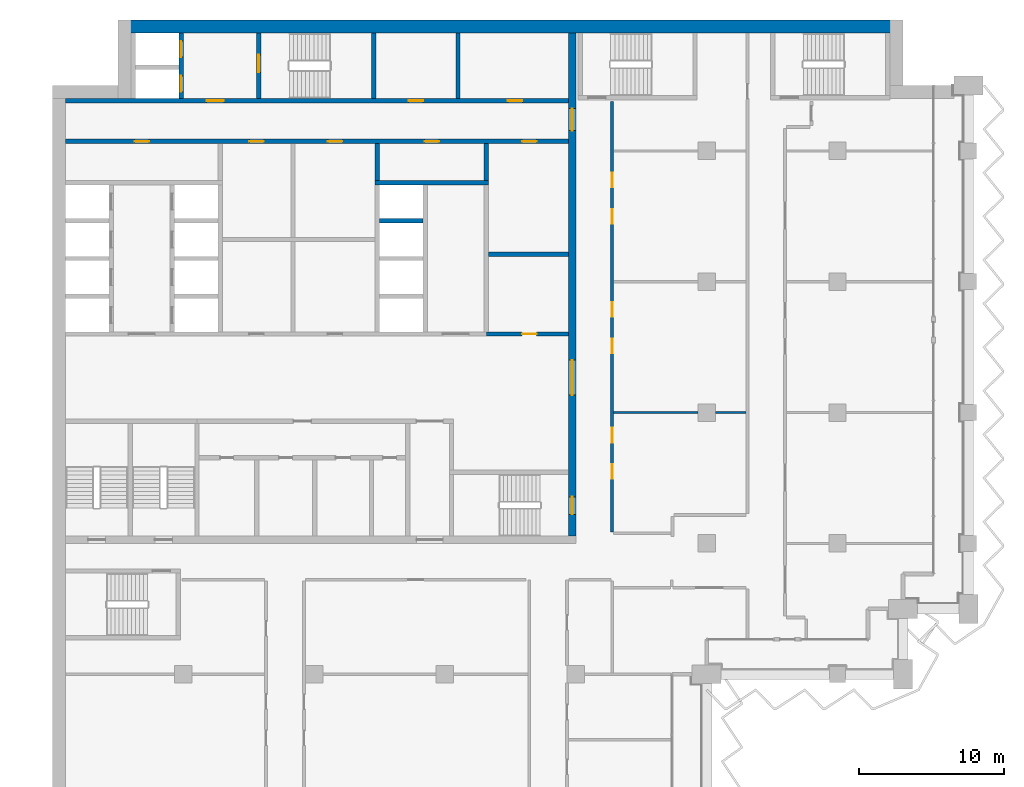
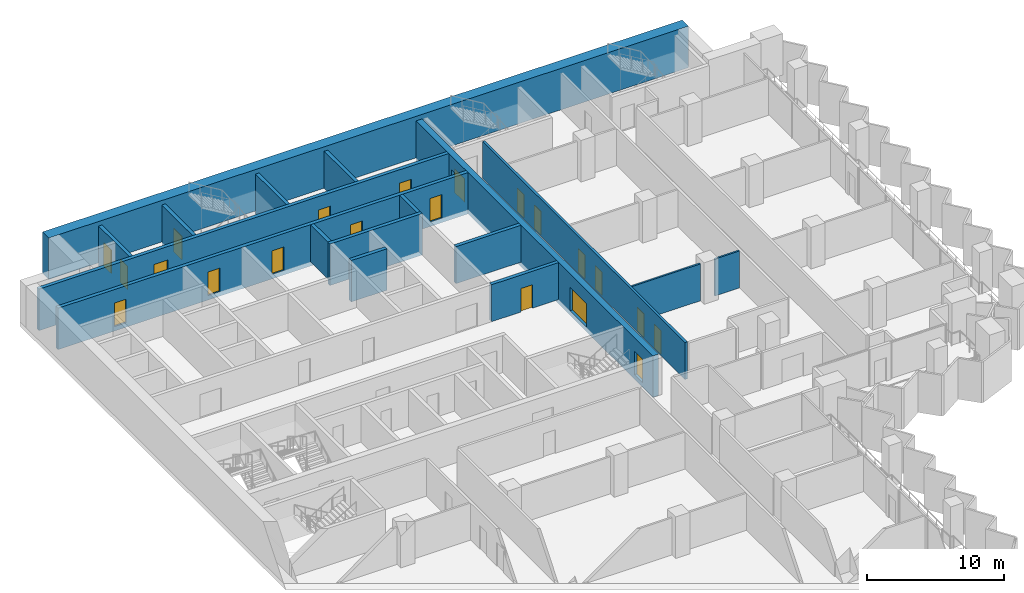
# One storey, part 13 of 22: 21 doors, 17 walls, 21 openings.
"""IFC4 building model written with IfcOpenShell, lengths in metres."""

from ifc_helpers import new_model, si_unit, direction, frame, frame_2d, origin, place, context, subcontext, project, spatial, rectangle, extrude, material, layer, layer_set, type_object, element, fill, save


model = new_model("IFC4")

# Units and contexts
model_context = context("Model", 3, precision=1e-05, world=origin(), true_north=direction((0.0, 1.0)))
body_context = subcontext(model_context, "Body", "Model", "MODEL_VIEW")
ifc_project = project(units=[si_unit("LENGTHUNIT", "METRE"), si_unit("AREAUNIT", "SQUARE_METRE"), si_unit("VOLUMEUNIT", "CUBIC_METRE"), si_unit("PLANEANGLEUNIT", "RADIAN"), si_unit("MASSUNIT", "GRAM", prefix="KILO")], contexts=[model_context])

# Site, building, storey
site_placement = place(None, origin())
site = spatial("IfcSite", under=ifc_project, at=site_placement, CompositionType="ELEMENT")
building_placement = place(site_placement, origin())
building = spatial("IfcBuilding", under=site, at=building_placement, Name="Hunhe Ridgeline Campus", CompositionType="ELEMENT")
storey_placement = place(building_placement, frame((0.0, 0.0, 137.5)))
storey = spatial("IfcBuildingStorey", under=building, at=storey_placement, Name="L34", CompositionType="ELEMENT", Elevation=137.5)

# Wall, opening, door
ifc_material_1 = material(Name="Masonry concrete blockwork", Category="masonry")
ifc_layer_1 = layer(ifc_material_1, 0.300048828125)
ifc_layer_set_1 = layer_set([ifc_layer_1], Name="Core room partition 300 concrete block")
wall_type_1 = type_object("IfcWallType", Name="Core room partition 300 concrete block", PredefinedType="PARTITIONING", material=ifc_layer_set_1)
wall_1_placement = place(storey_placement, frame((29.85009765625, 77.39990234375, 0.0), z_axis=(0.0, 0.0, 1.0), x_axis=(1.0, 0.0, 0.0)))
wall_1 = element("IfcWall", 1, at=wall_1_placement, inside=storey, type_object=wall_type_1, Name="L34 core partition 13", PredefinedType="PARTITIONING", context=body_context, shape_type="SweptSolid", body=[
    extrude(rectangle(XDim=5.64990234375, YDim=0.300048828125, at=frame_2d((2.824951171875, 0.0))), origin(), (0.0, 0.0, 1.0), 3.300048828125),
])
opening_1_placement = place(wall_1_placement, frame((2.449951171875, 0.0, 0.0)))
opening_1 = element("IfcOpeningElement", 2, at=opening_1_placement, cuts=wall_1, Name="Opening CD32", PredefinedType="OPENING", context=body_context, shape_type="SweptSolid", body=[
    extrude(rectangle(XDim=1.0, YDim=2.10009765625, at=frame_2d((0.5, 1.050048828125))), frame((0.0, 0.14990234375, 0.0), z_axis=(0.0, -1.0, 0.0), x_axis=(1.0, 0.0, 0.0)), (0.0, 0.0, 1.0), 0.300048828125),
])
ifc_material_2 = material(Name="Solid core timber door leaf", Category="wood")
door_type_1 = type_object("IfcDoorType", Name="Timber door 1000x2100", OperationType="SINGLE_SWING_LEFT", PredefinedType="DOOR", material=ifc_material_2)
door_1_placement = place(opening_1_placement, origin())
door_1 = element("IfcDoor", 3, at=door_1_placement, inside=storey, type_object=door_type_1, Name="L34 door ES0", OperationType="SINGLE_SWING_LEFT", OverallHeight=2.10009765625, OverallWidth=1.0, PredefinedType="DOOR", context=body_context, shape_type="SweptSolid", body=[
    extrude(rectangle(XDim=1.0, YDim=2.10009765625, at=frame_2d((0.5, 1.050048828125))), frame((0.0, 0.02490234375, 0.0), z_axis=(0.0, -1.0, 0.0), x_axis=(1.0, 0.0, 0.0)), (0.0, 0.0, 1.0), 0.050048828125),
])
fill(opening_1, door_1)

# Walls
wall_2_placement = place(storey_placement, frame((30.0, 82.89990234375, 0.0), z_axis=(0.0, 0.0, 1.0), x_axis=(1.0, 0.0, 0.0)))
element("IfcWall", 4, at=wall_2_placement, inside=storey, type_object=wall_type_1, Name="L34 core partition 20", PredefinedType="PARTITIONING", context=body_context, shape_type="SweptSolid", body=[
    extrude(rectangle(XDim=5.5, YDim=0.300048828125, at=frame_2d((2.75, 0.0))), origin(), (0.0, 0.0, 1.0), 3.300048828125),
])
wall_3_placement = place(storey_placement, frame((22.35009765625, 87.949951171875, 0.0), z_axis=(0.0, 0.0, 1.0), x_axis=(0.0, 1.0, 0.0)))
element("IfcWall", 5, at=wall_3_placement, inside=storey, type_object=wall_type_1, Name="L34 core partition 50", PredefinedType="PARTITIONING", context=body_context, shape_type="SweptSolid", body=[
    extrude(rectangle(XDim=2.550048828125, YDim=0.300048828125, at=frame_2d((1.27490234375, 0.0))), origin(), (0.0, 0.0, 1.0), 3.300048828125),
])
wall_4_placement = place(storey_placement, frame((27.89990234375, 93.60009765625, 0.0), z_axis=(0.0, 0.0, 1.0), x_axis=(0.0, 1.0, 0.0)))
element("IfcWall", 6, at=wall_4_placement, inside=storey, type_object=wall_type_1, Name="L34 core partition 56", PredefinedType="PARTITIONING", context=body_context, shape_type="SweptSolid", body=[
    extrude(rectangle(XDim=4.5, YDim=0.300048828125, at=frame_2d((2.25, 0.0))), origin(), (0.0, 0.0, 1.0), 3.300048828125),
])
wall_5_placement = place(storey_placement, frame((29.85009765625, 87.949951171875, 0.0), z_axis=(0.0, 0.0, 1.0), x_axis=(0.0, 1.0, 0.0)))
element("IfcWall", 7, at=wall_5_placement, inside=storey, type_object=wall_type_1, Name="L34 core partition 58", PredefinedType="PARTITIONING", context=body_context, shape_type="SweptSolid", body=[
    extrude(rectangle(XDim=2.550048828125, YDim=0.300048828125, at=frame_2d((1.27490234375, 0.0))), origin(), (0.0, 0.0, 1.0), 3.300048828125),
])

# Wall, openings, doors
ifc_material_3 = material(Name="Concrete C70", Category="concrete")
ifc_layer_2 = layer(ifc_material_3, 0.5)
ifc_layer_set_2 = layer_set([ifc_layer_2], Name="Core wall 500 reinforced concrete C70")
wall_type_2 = type_object("IfcWallType", Name="Core wall 500 reinforced concrete C70", PredefinedType="SOLIDWALL", material=ifc_layer_set_2)
wall_6_placement = place(storey_placement, frame((35.75, 63.5, -0.39990234375), z_axis=(0.0, 0.0, 1.0), x_axis=(0.0, 1.0, 0.0)))
wall_6 = element("IfcWall", 8, at=wall_6_placement, inside=storey, type_object=wall_type_2, Name="L34 core wall 59", PredefinedType="SOLIDWALL", context=body_context, shape_type="SweptSolid", body=[
    extrude(rectangle(XDim=34.60009765625, YDim=0.5, at=frame_2d((17.300048828125, 0.0))), origin(), (0.0, 0.0, 1.0), 3.699951171875),
])
opening_2_placement = place(wall_6_placement, frame((9.699951171875, 0.0, 0.39990234375)))
opening_2 = element("IfcOpeningElement", 9, at=opening_2_placement, cuts=wall_6, Name="Opening CD4", PredefinedType="OPENING", context=body_context, shape_type="SweptSolid", body=[
    extrude(rectangle(XDim=2.39990234375, YDim=2.10009765625, at=frame_2d((1.199951171875, 1.050048828125))), frame((0.0, 0.25, 0.0), z_axis=(0.0, -1.0, 0.0), x_axis=(1.0, 0.0, 0.0)), (0.0, 0.0, 1.0), 0.5),
])
opening_3_placement = place(wall_6_placement, frame((27.89990234375, 0.0, 0.39990234375)))
opening_3 = element("IfcOpeningElement", 10, at=opening_3_placement, cuts=wall_6, Name="Opening CD5", PredefinedType="OPENING", context=body_context, shape_type="SweptSolid", body=[
    extrude(rectangle(XDim=1.5, YDim=2.10009765625, at=frame_2d((0.75, 1.050048828125))), frame((0.0, 0.25, 0.0), z_axis=(0.0, -1.0, 0.0), x_axis=(1.0, 0.0, 0.0)), (0.0, 0.0, 1.0), 0.5),
])
opening_4_placement = place(wall_6_placement, frame((1.5, 0.0, 0.39990234375)))
opening_4 = element("IfcOpeningElement", 11, at=opening_4_placement, cuts=wall_6, Name="Opening CD15", PredefinedType="OPENING", context=body_context, shape_type="SweptSolid", body=[
    extrude(rectangle(XDim=1.199951171875, YDim=2.10009765625, at=frame_2d((0.60009765625, 1.050048828125))), frame((0.0, 0.25, 0.0), z_axis=(0.0, -1.0, 0.0), x_axis=(1.0, 0.0, 0.0)), (0.0, 0.0, 1.0), 0.5),
])
ifc_material_4 = material(Name="Anodised aluminium and glass", Category="aluminium")
door_type_2 = type_object("IfcDoorType", Name="Glazed double door 2400x2100", OperationType="DOUBLE_DOOR_SINGLE_SWING", PredefinedType="DOOR", material=ifc_material_4)
door_2_placement = place(opening_2_placement, frame((2.39990234375, 0.0, 0.0), z_axis=(0.0, 0.0, 1.0), x_axis=(-1.0, 0.0, 0.0)))
door_2 = element("IfcDoor", 12, at=door_2_placement, inside=storey, type_object=door_type_2, Name="L34 door HALL-FLOOR", OperationType="DOUBLE_DOOR_SINGLE_SWING", OverallHeight=2.10009765625, OverallWidth=2.39990234375, PredefinedType="DOOR", context=body_context, shape_type="SweptSolid", body=[
    extrude(rectangle(XDim=2.39990234375, YDim=2.10009765625, at=frame_2d((1.199951171875, 1.050048828125))), frame((0.0, 0.02490234375, 0.0), z_axis=(0.0, -1.0, 0.0), x_axis=(1.0, 0.0, 0.0)), (0.0, 0.0, 1.0), 0.050048828125),
])
fill(opening_2, door_2)
ifc_material_5 = material(Name="Hollow metal fire door leaf")
door_type_3 = type_object("IfcDoorType", Name="Stair door 1200x2100 FD60", OperationType="SINGLE_SWING_LEFT", PredefinedType="DOOR", material=ifc_material_5)
door_3_placement = place(opening_4_placement, frame((1.199951171875, 0.0, 0.0), z_axis=(0.0, 0.0, 1.0), x_axis=(-1.0, 0.0, 0.0)))
door_3 = element("IfcDoor", 13, at=door_3_placement, inside=storey, type_object=door_type_3, Name="L34 door S2-FLOOR", OperationType="SINGLE_SWING_RIGHT", OverallHeight=2.10009765625, OverallWidth=1.199951171875, PredefinedType="DOOR", context=body_context, shape_type="SweptSolid", body=[
    extrude(rectangle(XDim=1.199951171875, YDim=2.10009765625, at=frame_2d((0.60009765625, 1.050048828125))), frame((0.0, 0.02490234375, 0.0), z_axis=(0.0, -1.0, 0.0), x_axis=(1.0, 0.0, 0.0)), (0.0, 0.0, 1.0), 0.050048828125),
])
fill(opening_4, door_3)
door_type_4 = type_object("IfcDoorType", Name="Timber door 1500x2100", OperationType="SINGLE_SWING_LEFT", PredefinedType="DOOR", material=ifc_material_2)
door_4_placement = place(opening_3_placement, frame((1.5, 0.0, 0.0), z_axis=(0.0, 0.0, 1.0), x_axis=(-1.0, 0.0, 0.0)))
door_4 = element("IfcDoor", 14, at=door_4_placement, inside=storey, type_object=door_type_4, Name="L34 door C1-FLOOR", OperationType="SINGLE_SWING_RIGHT", OverallHeight=2.10009765625, OverallWidth=1.5, PredefinedType="DOOR", context=body_context, shape_type="SweptSolid", body=[
    extrude(rectangle(XDim=1.5, YDim=2.10009765625, at=frame_2d((0.75, 1.050048828125))), frame((0.0, 0.02490234375, 0.0), z_axis=(0.0, -1.0, 0.0), x_axis=(1.0, 0.0, 0.0)), (0.0, 0.0, 1.0), 0.050048828125),
])
fill(opening_3, door_4)

ifc_material_6 = material(Name="Gypsum board partition")
ifc_layer_3 = layer(ifc_material_6, 0.199951171875)
ifc_layer_set_3 = layer_set([ifc_layer_3], Name="Corridor partition 200 gypsum board on steel studs")
wall_type_3 = type_object("IfcWallType", Name="Corridor partition 200 gypsum board on steel studs", PredefinedType="PARTITIONING", material=ifc_layer_set_3)
wall_7_placement = place(storey_placement, frame((38.5, 93.39599609375, 0.0), z_axis=(0.0, 0.0, 1.0), x_axis=(0.0, -1.0, 0.0)))
wall_7 = element("IfcWall", 15, at=wall_7_placement, inside=storey, type_object=wall_type_3, Name="F-L34-wall-076", PredefinedType="PARTITIONING", context=body_context, shape_type="SweptSolid", body=[
    extrude(rectangle(XDim=29.595947265625, YDim=0.199951171875, at=frame_2d((14.7978515625, 0.0))), origin(), (0.0, 0.0, 1.0), 3.300048828125),
])
opening_5_placement = place(wall_7_placement, frame((24.95751953125, 0.0, 0.0)))
opening_5 = element("IfcOpeningElement", 16, at=opening_5_placement, cuts=wall_7, Name="Opening RD1-033", PredefinedType="OPENING", context=body_context, shape_type="SweptSolid", body=[
    extrude(rectangle(XDim=1.0, YDim=2.10009765625, at=frame_2d((0.5, 1.050048828125))), frame((0.0, 0.10009765625, 0.0), z_axis=(0.0, -1.0, 0.0), x_axis=(1.0, 0.0, 0.0)), (0.0, 0.0, 1.0), 0.199951171875),
])
opening_6_placement = place(wall_7_placement, frame((22.45751953125, 0.0, 0.0)))
opening_6 = element("IfcOpeningElement", 17, at=opening_6_placement, cuts=wall_7, Name="Opening RD1-034", PredefinedType="OPENING", context=body_context, shape_type="SweptSolid", body=[
    extrude(rectangle(XDim=1.0, YDim=2.10009765625, at=frame_2d((0.5, 1.050048828125))), frame((0.0, 0.10009765625, 0.0), z_axis=(0.0, -1.0, 0.0), x_axis=(1.0, 0.0, 0.0)), (0.0, 0.0, 1.0), 0.199951171875),
])
opening_7_placement = place(wall_7_placement, frame((16.304443359375, 0.0, 0.0)))
opening_7 = element("IfcOpeningElement", 18, at=opening_7_placement, cuts=wall_7, Name="Opening RD1-036", PredefinedType="OPENING", context=body_context, shape_type="SweptSolid", body=[
    extrude(rectangle(XDim=1.0, YDim=2.10009765625, at=frame_2d((0.5, 1.050048828125))), frame((0.0, 0.10009765625, 0.0), z_axis=(0.0, -1.0, 0.0), x_axis=(1.0, 0.0, 0.0)), (0.0, 0.0, 1.0), 0.199951171875),
])
opening_8_placement = place(wall_7_placement, frame((13.804443359375, 0.0, 0.0)))
opening_8 = element("IfcOpeningElement", 19, at=opening_8_placement, cuts=wall_7, Name="Opening RD1-038", PredefinedType="OPENING", context=body_context, shape_type="SweptSolid", body=[
    extrude(rectangle(XDim=1.0, YDim=2.10009765625, at=frame_2d((0.5, 1.050048828125))), frame((0.0, 0.10009765625, 0.0), z_axis=(0.0, -1.0, 0.0), x_axis=(1.0, 0.0, 0.0)), (0.0, 0.0, 1.0), 0.199951171875),
])
opening_9_placement = place(wall_7_placement, frame((7.400634765625, 0.0, 0.0)))
opening_9 = element("IfcOpeningElement", 20, at=opening_9_placement, cuts=wall_7, Name="Opening RD1-039", PredefinedType="OPENING", context=body_context, shape_type="SweptSolid", body=[
    extrude(rectangle(XDim=1.0, YDim=2.10009765625, at=frame_2d((0.5, 1.050048828125))), frame((0.0, 0.10009765625, 0.0), z_axis=(0.0, -1.0, 0.0), x_axis=(1.0, 0.0, 0.0)), (0.0, 0.0, 1.0), 0.199951171875),
])
opening_10_placement = place(wall_7_placement, frame((4.900634765625, 0.0, 0.0)))
opening_10 = element("IfcOpeningElement", 21, at=opening_10_placement, cuts=wall_7, Name="Opening RD1-041", PredefinedType="OPENING", context=body_context, shape_type="SweptSolid", body=[
    extrude(rectangle(XDim=1.0, YDim=2.10009765625, at=frame_2d((0.5, 1.050048828125))), frame((0.0, 0.10009765625, 0.0), z_axis=(0.0, -1.0, 0.0), x_axis=(1.0, 0.0, 0.0)), (0.0, 0.0, 1.0), 0.199951171875),
])
ifc_material_7 = material(Name="Timber door leaf", Category="wood")
door_type_5 = type_object("IfcDoorType", Name="Single fire door 1000x2100 timber FD60", OperationType="NOTDEFINED", PredefinedType="DOOR", material=ifc_material_7)
door_5_placement = place(opening_5_placement, frame((1.0, 0.0, 0.0), z_axis=(0.0, 0.0, 1.0), x_axis=(-1.0, 0.0, 0.0)))
door_5 = element("IfcDoor", 22, at=door_5_placement, inside=storey, type_object=door_type_5, Name="F-L34-door-033", OperationType="SINGLE_SWING_LEFT", OverallHeight=2.10009765625, OverallWidth=1.0, PredefinedType="DOOR", context=body_context, shape_type="SweptSolid", body=[
    extrude(rectangle(XDim=1.0, YDim=2.10009765625, at=frame_2d((0.5, 1.050048828125))), frame((0.0, 0.02490234375, 0.0), z_axis=(0.0, -1.0, 0.0), x_axis=(1.0, 0.0, 0.0)), (0.0, 0.0, 1.0), 0.050048828125),
])
fill(opening_5, door_5)
door_6_placement = place(opening_6_placement, frame((1.0, 0.0, 0.0), z_axis=(0.0, 0.0, 1.0), x_axis=(-1.0, 0.0, 0.0)))
door_6 = element("IfcDoor", 23, at=door_6_placement, inside=storey, type_object=door_type_5, Name="F-L34-door-034", OperationType="SINGLE_SWING_RIGHT", OverallHeight=2.10009765625, OverallWidth=1.0, PredefinedType="DOOR", context=body_context, shape_type="SweptSolid", body=[
    extrude(rectangle(XDim=1.0, YDim=2.10009765625, at=frame_2d((0.5, 1.050048828125))), frame((0.0, 0.02490234375, 0.0), z_axis=(0.0, -1.0, 0.0), x_axis=(1.0, 0.0, 0.0)), (0.0, 0.0, 1.0), 0.050048828125),
])
fill(opening_6, door_6)
door_7_placement = place(opening_7_placement, frame((1.0, 0.0, 0.0), z_axis=(0.0, 0.0, 1.0), x_axis=(-1.0, 0.0, 0.0)))
door_7 = element("IfcDoor", 24, at=door_7_placement, inside=storey, type_object=door_type_5, Name="F-L34-door-036", OperationType="SINGLE_SWING_RIGHT", OverallHeight=2.10009765625, OverallWidth=1.0, PredefinedType="DOOR", context=body_context, shape_type="SweptSolid", body=[
    extrude(rectangle(XDim=1.0, YDim=2.10009765625, at=frame_2d((0.5, 1.050048828125))), frame((0.0, 0.02490234375, 0.0), z_axis=(0.0, -1.0, 0.0), x_axis=(1.0, 0.0, 0.0)), (0.0, 0.0, 1.0), 0.050048828125),
])
fill(opening_7, door_7)
door_8_placement = place(opening_8_placement, frame((1.0, 0.0, 0.0), z_axis=(0.0, 0.0, 1.0), x_axis=(-1.0, 0.0, 0.0)))
door_8 = element("IfcDoor", 25, at=door_8_placement, inside=storey, type_object=door_type_5, Name="F-L34-door-038", OperationType="SINGLE_SWING_RIGHT", OverallHeight=2.10009765625, OverallWidth=1.0, PredefinedType="DOOR", context=body_context, shape_type="SweptSolid", body=[
    extrude(rectangle(XDim=1.0, YDim=2.10009765625, at=frame_2d((0.5, 1.050048828125))), frame((0.0, 0.02490234375, 0.0), z_axis=(0.0, -1.0, 0.0), x_axis=(1.0, 0.0, 0.0)), (0.0, 0.0, 1.0), 0.050048828125),
])
fill(opening_8, door_8)
door_9_placement = place(opening_9_placement, frame((1.0, 0.0, 0.0), z_axis=(0.0, 0.0, 1.0), x_axis=(-1.0, 0.0, 0.0)))
door_9 = element("IfcDoor", 26, at=door_9_placement, inside=storey, type_object=door_type_5, Name="F-L34-door-039", OperationType="SINGLE_SWING_RIGHT", OverallHeight=2.10009765625, OverallWidth=1.0, PredefinedType="DOOR", context=body_context, shape_type="SweptSolid", body=[
    extrude(rectangle(XDim=1.0, YDim=2.10009765625, at=frame_2d((0.5, 1.050048828125))), frame((0.0, 0.02490234375, 0.0), z_axis=(0.0, -1.0, 0.0), x_axis=(1.0, 0.0, 0.0)), (0.0, 0.0, 1.0), 0.050048828125),
])
fill(opening_9, door_9)
door_10_placement = place(opening_10_placement, frame((1.0, 0.0, 0.0), z_axis=(0.0, 0.0, 1.0), x_axis=(-1.0, 0.0, 0.0)))
door_10 = element("IfcDoor", 27, at=door_10_placement, inside=storey, type_object=door_type_5, Name="F-L34-door-041", OperationType="SINGLE_SWING_RIGHT", OverallHeight=2.10009765625, OverallWidth=1.0, PredefinedType="DOOR", context=body_context, shape_type="SweptSolid", body=[
    extrude(rectangle(XDim=1.0, YDim=2.10009765625, at=frame_2d((0.5, 1.050048828125))), frame((0.0, 0.02490234375, 0.0), z_axis=(0.0, -1.0, 0.0), x_axis=(1.0, 0.0, 0.0)), (0.0, 0.0, 1.0), 0.050048828125),
])
fill(opening_10, door_10)

ifc_layer_4 = layer(ifc_material_3, 0.300048828125)
ifc_layer_set_4 = layer_set([ifc_layer_4], Name="Lobby wall 300 reinforced concrete C70")
wall_type_4 = type_object("IfcWallType", Name="Lobby wall 300 reinforced concrete C70", PredefinedType="SOLIDWALL", material=ifc_layer_set_4)
wall_8_placement = place(storey_placement, frame((0.89990234375, 90.64990234375, -0.39990234375), z_axis=(0.0, 0.0, 1.0), x_axis=(1.0, 0.0, 0.0)))
wall_8 = element("IfcWall", 28, at=wall_8_placement, inside=storey, type_object=wall_type_4, Name="L34 core wall 27", PredefinedType="SOLIDWALL", context=body_context, shape_type="SweptSolid", body=[
    extrude(rectangle(XDim=34.60009765625, YDim=0.300048828125, at=frame_2d((17.300048828125, 0.0))), origin(), (0.0, 0.0, 1.0), 3.699951171875),
])
opening_11_placement = place(wall_8_placement, frame((4.75, 0.0, 0.39990234375)))
opening_11 = element("IfcOpeningElement", 29, at=opening_11_placement, cuts=wall_8, Name="Opening CD26", PredefinedType="OPENING", context=body_context, shape_type="SweptSolid", body=[
    extrude(rectangle(XDim=1.0, YDim=2.10009765625, at=frame_2d((0.5, 1.050048828125))), frame((0.0, 0.14990234375, 0.0), z_axis=(0.0, -1.0, 0.0), x_axis=(1.0, 0.0, 0.0)), (0.0, 0.0, 1.0), 0.300048828125),
])
opening_12_placement = place(wall_8_placement, frame((24.699951171875, 0.0, 0.39990234375)))
opening_12 = element("IfcOpeningElement", 30, at=opening_12_placement, cuts=wall_8, Name="Opening CD27", PredefinedType="OPENING", context=body_context, shape_type="SweptSolid", body=[
    extrude(rectangle(XDim=1.0, YDim=2.10009765625, at=frame_2d((0.5, 1.050048828125))), frame((0.0, 0.14990234375, 0.0), z_axis=(0.0, -1.0, 0.0), x_axis=(1.0, 0.0, 0.0)), (0.0, 0.0, 1.0), 0.300048828125),
])
opening_13_placement = place(wall_8_placement, frame((12.64990234375, 0.0, 0.39990234375)))
opening_13 = element("IfcOpeningElement", 31, at=opening_13_placement, cuts=wall_8, Name="Opening CD29", PredefinedType="OPENING", context=body_context, shape_type="SweptSolid", body=[
    extrude(rectangle(XDim=1.0, YDim=2.10009765625, at=frame_2d((0.5, 1.050048828125))), frame((0.0, 0.14990234375, 0.0), z_axis=(0.0, -1.0, 0.0), x_axis=(1.0, 0.0, 0.0)), (0.0, 0.0, 1.0), 0.300048828125),
])
opening_14_placement = place(wall_8_placement, frame((18.050048828125, 0.0, 0.39990234375)))
opening_14 = element("IfcOpeningElement", 32, at=opening_14_placement, cuts=wall_8, Name="Opening CD31", PredefinedType="OPENING", context=body_context, shape_type="SweptSolid", body=[
    extrude(rectangle(XDim=1.0, YDim=2.10009765625, at=frame_2d((0.5, 1.050048828125))), frame((0.0, 0.14990234375, 0.0), z_axis=(0.0, -1.0, 0.0), x_axis=(1.0, 0.0, 0.0)), (0.0, 0.0, 1.0), 0.300048828125),
])
opening_15_placement = place(wall_8_placement, frame((31.39990234375, 0.0, 0.39990234375)))
opening_15 = element("IfcOpeningElement", 33, at=opening_15_placement, cuts=wall_8, Name="Opening CD33", PredefinedType="OPENING", context=body_context, shape_type="SweptSolid", body=[
    extrude(rectangle(XDim=1.0, YDim=2.10009765625, at=frame_2d((0.5, 1.050048828125))), frame((0.0, 0.14990234375, 0.0), z_axis=(0.0, -1.0, 0.0), x_axis=(1.0, 0.0, 0.0)), (0.0, 0.0, 1.0), 0.300048828125),
])
door_11_placement = place(opening_11_placement, frame((1.0, 0.0, 0.0), z_axis=(0.0, 0.0, 1.0), x_axis=(-1.0, 0.0, 0.0)))
door_11 = element("IfcDoor", 34, at=door_11_placement, inside=storey, type_object=door_type_1, Name="L34 door NR-0", OperationType="SINGLE_SWING_LEFT", OverallHeight=2.10009765625, OverallWidth=1.0, PredefinedType="DOOR", context=body_context, shape_type="SweptSolid", body=[
    extrude(rectangle(XDim=1.0, YDim=2.10009765625, at=frame_2d((0.5, 1.050048828125))), frame((0.0, 0.02490234375, 0.0), z_axis=(0.0, -1.0, 0.0), x_axis=(1.0, 0.0, 0.0)), (0.0, 0.0, 1.0), 0.050048828125),
])
fill(opening_11, door_11)
door_12_placement = place(opening_12_placement, frame((1.0, 0.0, 0.0), z_axis=(0.0, 0.0, 1.0), x_axis=(-1.0, 0.0, 0.0)))
door_12 = element("IfcDoor", 35, at=door_12_placement, inside=storey, type_object=door_type_1, Name="L34 door NR-1", OperationType="SINGLE_SWING_RIGHT", OverallHeight=2.10009765625, OverallWidth=1.0, PredefinedType="DOOR", context=body_context, shape_type="SweptSolid", body=[
    extrude(rectangle(XDim=1.0, YDim=2.10009765625, at=frame_2d((0.5, 1.050048828125))), frame((0.0, 0.02490234375, 0.0), z_axis=(0.0, -1.0, 0.0), x_axis=(1.0, 0.0, 0.0)), (0.0, 0.0, 1.0), 0.050048828125),
])
fill(opening_12, door_12)
door_13_placement = place(opening_13_placement, frame((1.0, 0.0, 0.0), z_axis=(0.0, 0.0, 1.0), x_axis=(-1.0, 0.0, 0.0)))
door_13 = element("IfcDoor", 36, at=door_13_placement, inside=storey, type_object=door_type_1, Name="L34 door VD-HR1", OperationType="SINGLE_SWING_RIGHT", OverallHeight=2.10009765625, OverallWidth=1.0, PredefinedType="DOOR", context=body_context, shape_type="SweptSolid", body=[
    extrude(rectangle(XDim=1.0, YDim=2.10009765625, at=frame_2d((0.5, 1.050048828125))), frame((0.0, 0.02490234375, 0.0), z_axis=(0.0, -1.0, 0.0), x_axis=(1.0, 0.0, 0.0)), (0.0, 0.0, 1.0), 0.050048828125),
])
fill(opening_13, door_13)
door_14_placement = place(opening_14_placement, frame((1.0, 0.0, 0.0), z_axis=(0.0, 0.0, 1.0), x_axis=(-1.0, 0.0, 0.0)))
door_14 = element("IfcDoor", 37, at=door_14_placement, inside=storey, type_object=door_type_1, Name="L34 door VD-HR3", OperationType="SINGLE_SWING_RIGHT", OverallHeight=2.10009765625, OverallWidth=1.0, PredefinedType="DOOR", context=body_context, shape_type="SweptSolid", body=[
    extrude(rectangle(XDim=1.0, YDim=2.10009765625, at=frame_2d((0.5, 1.050048828125))), frame((0.0, 0.02490234375, 0.0), z_axis=(0.0, -1.0, 0.0), x_axis=(1.0, 0.0, 0.0)), (0.0, 0.0, 1.0), 0.050048828125),
])
fill(opening_14, door_14)
door_15_placement = place(opening_15_placement, frame((1.0, 0.0, 0.0), z_axis=(0.0, 0.0, 1.0), x_axis=(-1.0, 0.0, 0.0)))
door_15 = element("IfcDoor", 38, at=door_15_placement, inside=storey, type_object=door_type_1, Name="L34 door ES1", OperationType="SINGLE_SWING_LEFT", OverallHeight=2.10009765625, OverallWidth=1.0, PredefinedType="DOOR", context=body_context, shape_type="SweptSolid", body=[
    extrude(rectangle(XDim=1.0, YDim=2.10009765625, at=frame_2d((0.5, 1.050048828125))), frame((0.0, 0.02490234375, 0.0), z_axis=(0.0, -1.0, 0.0), x_axis=(1.0, 0.0, 0.0)), (0.0, 0.0, 1.0), 0.050048828125),
])
fill(opening_15, door_15)

# Walls
ifc_layer_5 = layer(ifc_material_6, 0.14990234375)
ifc_layer_set_5 = layer_set([ifc_layer_5], Name="Room partition 150 gypsum board on steel studs")
wall_type_5 = type_object("IfcWallType", Name="Room partition 150 gypsum board on steel studs", PredefinedType="PARTITIONING", material=ifc_layer_set_5)
wall_9_placement = place(storey_placement, frame((38.60009765625, 72.0, 0.0), z_axis=(0.0, 0.0, 1.0), x_axis=(1.0, 0.0, 0.0)))
element("IfcWall", 39, at=wall_9_placement, inside=storey, type_object=wall_type_5, Name="F-L34-wall-046", PredefinedType="PARTITIONING", context=body_context, shape_type="SweptSolid", body=[
    extrude(rectangle(XDim=5.7998046875, YDim=0.14990234375, at=frame_2d((2.89990234375, 0.0))), origin(), (0.0, 0.0, 1.0), 3.300048828125),
])
wall_10_placement = place(storey_placement, frame((45.60009765625, 72.0, 0.0), z_axis=(0.0, 0.0, 1.0), x_axis=(1.0, 0.0, 0.0)))
element("IfcWall", 40, at=wall_10_placement, inside=storey, type_object=wall_type_5, Name="F-L34-wall-047", PredefinedType="PARTITIONING", context=body_context, shape_type="SweptSolid", body=[
    extrude(rectangle(XDim=2.099853515625, YDim=0.14990234375, at=frame_2d((1.0498046875, 0.0))), origin(), (0.0, 0.0, 1.0), 3.300048828125),
])
ifc_layer_6 = layer(ifc_material_3, 0.300048828125)
ifc_layer_set_6 = layer_set([ifc_layer_6], Name="Shaft wall 300 reinforced concrete C70")
wall_type_6 = type_object("IfcWallType", Name="Shaft wall 300 reinforced concrete C70", PredefinedType="SOLIDWALL", material=ifc_layer_set_6)
wall_11_placement = place(storey_placement, frame((22.5, 85.199951171875, -0.39990234375), z_axis=(0.0, 0.0, 1.0), x_axis=(1.0, 0.0, 0.0)))
element("IfcWall", 41, at=wall_11_placement, inside=storey, type_object=wall_type_6, Name="L34 core wall 24", PredefinedType="SOLIDWALL", context=body_context, shape_type="SweptSolid", body=[
    extrude(rectangle(XDim=3.0, YDim=0.300048828125, at=frame_2d((1.5, 0.0))), origin(), (0.0, 0.0, 1.0), 3.699951171875),
])
wall_12_placement = place(storey_placement, frame((22.199951171875, 87.800048828125, -0.39990234375), z_axis=(0.0, 0.0, 1.0), x_axis=(1.0, 0.0, 0.0)))
element("IfcWall", 42, at=wall_12_placement, inside=storey, type_object=wall_type_6, Name="L34 core wall 26", PredefinedType="SOLIDWALL", context=body_context, shape_type="SweptSolid", body=[
    extrude(rectangle(XDim=7.800048828125, YDim=0.300048828125, at=frame_2d((3.89990234375, 0.0))), origin(), (0.0, 0.0, 1.0), 3.699951171875),
])

# Wall, openings, doors
wall_13_placement = place(storey_placement, frame((0.89990234375, 93.449951171875, -0.39990234375), z_axis=(0.0, 0.0, 1.0), x_axis=(1.0, 0.0, 0.0)))
wall_13 = element("IfcWall", 43, at=wall_13_placement, inside=storey, type_object=wall_type_6, Name="L34 core wall 28", PredefinedType="SOLIDWALL", context=body_context, shape_type="SweptSolid", body=[
    extrude(rectangle(XDim=34.60009765625, YDim=0.300048828125, at=frame_2d((17.300048828125, 0.0))), origin(), (0.0, 0.0, 1.0), 3.699951171875),
])
opening_16_placement = place(wall_13_placement, frame((9.699951171875, 0.0, 0.39990234375)))
opening_16 = element("IfcOpeningElement", 44, at=opening_16_placement, cuts=wall_13, Name="Opening CD3", PredefinedType="OPENING", context=body_context, shape_type="SweptSolid", body=[
    extrude(rectangle(XDim=1.199951171875, YDim=2.10009765625, at=frame_2d((0.60009765625, 1.050048828125))), frame((0.0, 0.14990234375, 0.0), z_axis=(0.0, -1.0, 0.0), x_axis=(1.0, 0.0, 0.0)), (0.0, 0.0, 1.0), 0.300048828125),
])
opening_17_placement = place(wall_13_placement, frame((23.60009765625, 0.0, 0.39990234375)))
opening_17 = element("IfcOpeningElement", 45, at=opening_17_placement, cuts=wall_13, Name="Opening CD34", PredefinedType="OPENING", context=body_context, shape_type="SweptSolid", body=[
    extrude(rectangle(XDim=1.0, YDim=2.10009765625, at=frame_2d((0.5, 1.050048828125))), frame((0.0, 0.14990234375, 0.0), z_axis=(0.0, -1.0, 0.0), x_axis=(1.0, 0.0, 0.0)), (0.0, 0.0, 1.0), 0.300048828125),
])
opening_18_placement = place(wall_13_placement, frame((30.425048828125, 0.0, 0.39990234375)))
opening_18 = element("IfcOpeningElement", 46, at=opening_18_placement, cuts=wall_13, Name="Opening CD35", PredefinedType="OPENING", context=body_context, shape_type="SweptSolid", body=[
    extrude(rectangle(XDim=1.0, YDim=2.10009765625, at=frame_2d((0.5, 1.050048828125))), frame((0.0, 0.14990234375, 0.0), z_axis=(0.0, -1.0, 0.0), x_axis=(1.0, 0.0, 0.0)), (0.0, 0.0, 1.0), 0.300048828125),
])
door_type_6 = type_object("IfcDoorType", Name="Lobby door 1200x2100 FD60", OperationType="SINGLE_SWING_LEFT", PredefinedType="DOOR", material=ifc_material_5)
door_16_placement = place(opening_16_placement, frame((1.199951171875, 0.0, 0.0), z_axis=(0.0, 0.0, 1.0), x_axis=(-1.0, 0.0, 0.0)))
door_16 = element("IfcDoor", 47, at=door_16_placement, inside=storey, type_object=door_type_6, Name="L34 door FF-C1", OperationType="SINGLE_SWING_LEFT", OverallHeight=2.10009765625, OverallWidth=1.199951171875, PredefinedType="DOOR", context=body_context, shape_type="SweptSolid", body=[
    extrude(rectangle(XDim=1.199951171875, YDim=2.10009765625, at=frame_2d((0.60009765625, 1.050048828125))), frame((0.0, 0.02490234375, 0.0), z_axis=(0.0, -1.0, 0.0), x_axis=(1.0, 0.0, 0.0)), (0.0, 0.0, 1.0), 0.050048828125),
])
fill(opening_16, door_16)
door_17_placement = place(opening_17_placement, origin())
door_17 = element("IfcDoor", 48, at=door_17_placement, inside=storey, type_object=door_type_1, Name="L34 door NB0", OperationType="SINGLE_SWING_LEFT", OverallHeight=2.10009765625, OverallWidth=1.0, PredefinedType="DOOR", context=body_context, shape_type="SweptSolid", body=[
    extrude(rectangle(XDim=1.0, YDim=2.10009765625, at=frame_2d((0.5, 1.050048828125))), frame((0.0, 0.02490234375, 0.0), z_axis=(0.0, -1.0, 0.0), x_axis=(1.0, 0.0, 0.0)), (0.0, 0.0, 1.0), 0.050048828125),
])
fill(opening_17, door_17)
door_18_placement = place(opening_18_placement, origin())
door_18 = element("IfcDoor", 49, at=door_18_placement, inside=storey, type_object=door_type_1, Name="L34 door NB1", OperationType="SINGLE_SWING_RIGHT", OverallHeight=2.10009765625, OverallWidth=1.0, PredefinedType="DOOR", context=body_context, shape_type="SweptSolid", body=[
    extrude(rectangle(XDim=1.0, YDim=2.10009765625, at=frame_2d((0.5, 1.050048828125))), frame((0.0, 0.02490234375, 0.0), z_axis=(0.0, -1.0, 0.0), x_axis=(1.0, 0.0, 0.0)), (0.0, 0.0, 1.0), 0.050048828125),
])
fill(opening_18, door_18)

wall_14_placement = place(storey_placement, frame((8.85009765625, 93.60009765625, -0.39990234375), z_axis=(0.0, 0.0, 1.0), x_axis=(0.0, 1.0, 0.0)))
wall_14 = element("IfcWall", 50, at=wall_14_placement, inside=storey, type_object=wall_type_6, Name="L34 core wall 38", PredefinedType="SOLIDWALL", context=body_context, shape_type="SweptSolid", body=[
    extrude(rectangle(XDim=4.5, YDim=0.300048828125, at=frame_2d((2.25, 0.0))), origin(), (0.0, 0.0, 1.0), 3.699951171875),
])
opening_19_placement = place(wall_14_placement, frame((0.449951171875, 0.0, 0.39990234375)))
opening_19 = element("IfcOpeningElement", 51, at=opening_19_placement, cuts=wall_14, Name="Opening LD-FF1", PredefinedType="OPENING", context=body_context, shape_type="SweptSolid", body=[
    extrude(rectangle(XDim=1.10009765625, YDim=2.10009765625, at=frame_2d((0.550048828125, 1.050048828125))), frame((0.0, 0.14990234375, 0.0), z_axis=(0.0, -1.0, 0.0), x_axis=(1.0, 0.0, 0.0)), (0.0, 0.0, 1.0), 0.300048828125),
])
opening_20_placement = place(wall_14_placement, frame((2.85009765625, 0.0, 0.39990234375)))
opening_20 = element("IfcOpeningElement", 52, at=opening_20_placement, cuts=wall_14, Name="Opening LD-FF2", PredefinedType="OPENING", context=body_context, shape_type="SweptSolid", body=[
    extrude(rectangle(XDim=1.10009765625, YDim=2.10009765625, at=frame_2d((0.550048828125, 1.050048828125))), frame((0.0, 0.14990234375, 0.0), z_axis=(0.0, -1.0, 0.0), x_axis=(1.0, 0.0, 0.0)), (0.0, 0.0, 1.0), 0.300048828125),
])
ifc_material_8 = material(Name="Stainless steel sliding leaves", Category="steel")
door_type_7 = type_object("IfcDoorType", Name="Landing door 1100x2100 FD120", OperationType="SLIDING_TO_LEFT", PredefinedType="DOOR", material=ifc_material_8)
door_19_placement = place(opening_19_placement, origin())
door_19 = element("IfcDoor", 53, at=door_19_placement, inside=storey, type_object=door_type_7, Name="L34 landing door FF1", OperationType="SLIDING_TO_RIGHT", OverallHeight=2.10009765625, OverallWidth=1.10009765625, PredefinedType="DOOR", context=body_context, shape_type="SweptSolid", body=[
    extrude(rectangle(XDim=1.10009765625, YDim=2.10009765625, at=frame_2d((0.550048828125, 1.050048828125))), frame((0.0, 0.02490234375, 0.0), z_axis=(0.0, -1.0, 0.0), x_axis=(1.0, 0.0, 0.0)), (0.0, 0.0, 1.0), 0.050048828125),
])
fill(opening_19, door_19)
door_20_placement = place(opening_20_placement, origin())
door_20 = element("IfcDoor", 54, at=door_20_placement, inside=storey, type_object=door_type_7, Name="L34 landing door FF2", OperationType="SLIDING_TO_LEFT", OverallHeight=2.10009765625, OverallWidth=1.10009765625, PredefinedType="DOOR", context=body_context, shape_type="SweptSolid", body=[
    extrude(rectangle(XDim=1.10009765625, YDim=2.10009765625, at=frame_2d((0.550048828125, 1.050048828125))), frame((0.0, 0.02490234375, 0.0), z_axis=(0.0, -1.0, 0.0), x_axis=(1.0, 0.0, 0.0)), (0.0, 0.0, 1.0), 0.050048828125),
])
fill(opening_20, door_20)

# Wall
ifc_layer_7 = layer(ifc_material_3, 0.89990234375)
ifc_layer_set_7 = layer_set([ifc_layer_7], Name="Spine wall 900 Concrete C70")
wall_type_7 = type_object("IfcWallType", Name="Spine wall 900 Concrete C70", PredefinedType="SHEAR", material=ifc_layer_set_7)
wall_15_placement = place(storey_placement, frame((58.5, 98.550048828125, 0.0), z_axis=(0.0, 0.0, 1.0), x_axis=(-1.0, 0.0, 0.0)))
element("IfcWall", 55, at=wall_15_placement, inside=storey, type_object=wall_type_7, Name="Spine wall SW2-4 L34", PredefinedType="SHEAR", context=body_context, shape_type="SweptSolid", body=[
    extrude(rectangle(XDim=54.0, YDim=0.89990234375, at=frame_2d((27.0, 0.0))), origin(), (0.0, 0.0, 1.0), 3.699951171875),
])

# Wall, opening, door
ifc_layer_8 = layer(ifc_material_3, 0.300048828125)
ifc_layer_set_8 = layer_set([ifc_layer_8], Name="Stair wall 300 reinforced concrete C70")
wall_type_8 = type_object("IfcWallType", Name="Stair wall 300 reinforced concrete C70", PredefinedType="SOLIDWALL", material=ifc_layer_set_8)
wall_16_placement = place(storey_placement, frame((14.199951171875, 93.60009765625, -0.39990234375), z_axis=(0.0, 0.0, 1.0), x_axis=(0.0, 1.0, 0.0)))
wall_16 = element("IfcWall", 56, at=wall_16_placement, inside=storey, type_object=wall_type_8, Name="L34 core wall 43", PredefinedType="SOLIDWALL", context=body_context, shape_type="SweptSolid", body=[
    extrude(rectangle(XDim=4.5, YDim=0.300048828125, at=frame_2d((2.25, 0.0))), origin(), (0.0, 0.0, 1.0), 3.699951171875),
])
opening_21_placement = place(wall_16_placement, frame((1.800048828125, 0.0, 0.39990234375)))
opening_21 = element("IfcOpeningElement", 57, at=opening_21_placement, cuts=wall_16, Name="Opening CD16", PredefinedType="OPENING", context=body_context, shape_type="SweptSolid", body=[
    extrude(rectangle(XDim=1.199951171875, YDim=2.10009765625, at=frame_2d((0.60009765625, 1.050048828125))), frame((0.0, 0.14990234375, 0.0), z_axis=(0.0, -1.0, 0.0), x_axis=(1.0, 0.0, 0.0)), (0.0, 0.0, 1.0), 0.300048828125),
])
door_21_placement = place(opening_21_placement, origin())
door_21 = element("IfcDoor", 58, at=door_21_placement, inside=storey, type_object=door_type_3, Name="L34 door S1-FF", OperationType="SINGLE_SWING_LEFT", OverallHeight=2.10009765625, OverallWidth=1.199951171875, PredefinedType="DOOR", context=body_context, shape_type="SweptSolid", body=[
    extrude(rectangle(XDim=1.199951171875, YDim=2.10009765625, at=frame_2d((0.60009765625, 1.050048828125))), frame((0.0, 0.02490234375, 0.0), z_axis=(0.0, -1.0, 0.0), x_axis=(1.0, 0.0, 0.0)), (0.0, 0.0, 1.0), 0.050048828125),
])
fill(opening_21, door_21)

# Wall
wall_17_placement = place(storey_placement, frame((22.10009765625, 93.60009765625, -0.39990234375), z_axis=(0.0, 0.0, 1.0), x_axis=(0.0, 1.0, 0.0)))
element("IfcWall", 59, at=wall_17_placement, inside=storey, type_object=wall_type_8, Name="L34 core wall 48", PredefinedType="SOLIDWALL", context=body_context, shape_type="SweptSolid", body=[
    extrude(rectangle(XDim=4.5, YDim=0.300048828125, at=frame_2d((2.25, 0.0))), origin(), (0.0, 0.0, 1.0), 3.699951171875),
])

save(model, "model.ifc")
